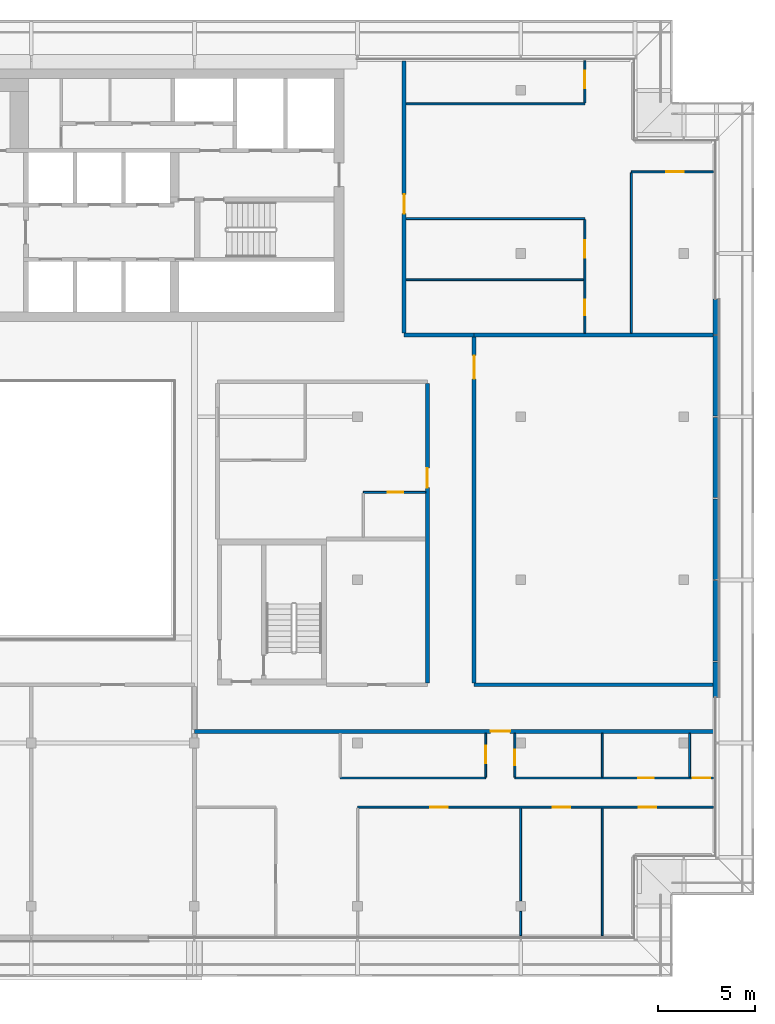
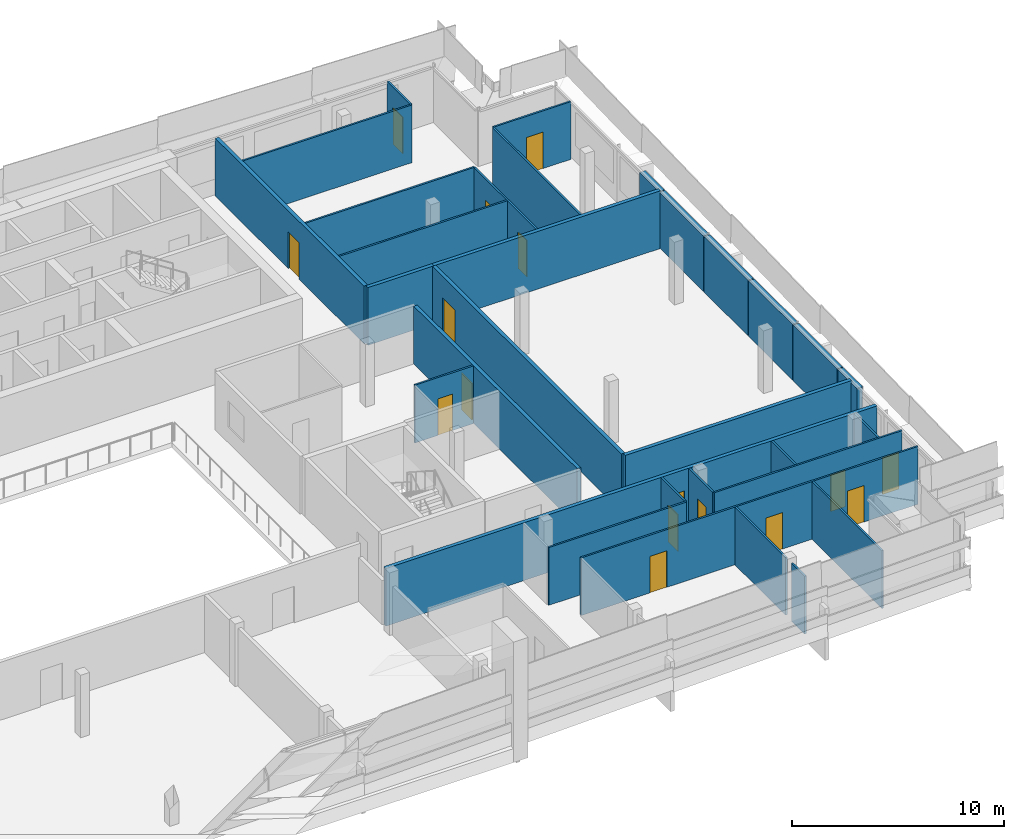
# One storey, part 22 of 33: 31 walls, 16 doors, 16 openings.
"""IFC4 building model written with IfcOpenShell, lengths in metres."""

from ifc_helpers import new_model, si_unit, direction, frame, frame_2d, origin, place, context, subcontext, project, spatial, rectangle, extrude, material, layer, layer_set, type_object, element, fill, save


model = new_model("IFC4")

# Units and contexts
model_context = context("Model", 3, precision=1e-05, world=origin(), true_north=direction((0.0, 1.0)))
body_context = subcontext(model_context, "Body", "Model", "MODEL_VIEW")
ifc_project = project(units=[si_unit("LENGTHUNIT", "METRE"), si_unit("AREAUNIT", "SQUARE_METRE"), si_unit("VOLUMEUNIT", "CUBIC_METRE"), si_unit("PLANEANGLEUNIT", "RADIAN"), si_unit("MASSUNIT", "GRAM", prefix="KILO")], contexts=[model_context])

# Site, building, storey
site_placement = place(None, origin())
site = spatial("IfcSite", under=ifc_project, at=site_placement, CompositionType="ELEMENT")
building_placement = place(site_placement, origin())
building = spatial("IfcBuilding", under=site, at=building_placement, Name="Saffron Gate Tower", CompositionType="ELEMENT")
storey_placement = place(building_placement, frame((0.0, 0.0, 263.550048828125)))
storey = spatial("IfcBuildingStorey", under=building, at=storey_placement, Name="L63", CompositionType="ELEMENT", Elevation=263.550048828125)

# Wall, openings, doors
ifc_material_1 = material(Name="Plasterboard on steel studs", Category="steel")
ifc_layer_1 = layer(ifc_material_1, 0.10009765625)
ifc_layer_set_1 = layer_set([ifc_layer_1], Name="PW1 Partition 100")
wall_type_1 = type_object("IfcWallType", Name="PW1 Partition 100", PredefinedType="PARTITIONING", material=ifc_layer_set_1)
wall_1_placement = place(storey_placement, frame((126.919921875, 36.89990234375, 0.0), z_axis=(0.0, 0.0, 1.0), x_axis=(-1.0, 0.0, 0.0)))
wall_1 = element("IfcWall", 1, at=wall_1_placement, inside=storey, type_object=wall_type_1, Name="Partition E1-6", PredefinedType="PARTITIONING", context=body_context, shape_type="SweptSolid", body=[
    extrude(rectangle(XDim=18.31982421875, YDim=0.10009765625, at=frame_2d((9.159912109375, 0.0))), origin(), (0.0, 0.0, 1.0), 3.320068359375),
])
opening_1_placement = place(wall_1_placement, frame((2.938232421875, 0.0, 0.0)))
opening_1 = element("IfcOpeningElement", 2, at=opening_1_placement, cuts=wall_1, Name="Opening E1-15", PredefinedType="OPENING", context=body_context, shape_type="SweptSolid", body=[
    extrude(rectangle(XDim=0.89990234375, YDim=2.10009765625, at=frame_2d((0.449951171875, 1.050048828125))), frame((0.0, 0.06005859375, 0.0), z_axis=(0.0, -1.0, 0.0), x_axis=(1.0, 0.0, 0.0)), (0.0, 0.0, 1.0), 0.1201171875),
])
opening_2_placement = place(wall_1_placement, frame((7.3701171875, 0.0, 0.0)))
opening_2 = element("IfcOpeningElement", 3, at=opening_2_placement, cuts=wall_1, Name="Opening E1-14", PredefinedType="OPENING", context=body_context, shape_type="SweptSolid", body=[
    extrude(rectangle(XDim=0.89990234375, YDim=2.10009765625, at=frame_2d((0.449951171875, 1.050048828125))), frame((0.0, 0.06005859375, 0.0), z_axis=(0.0, -1.0, 0.0), x_axis=(1.0, 0.0, 0.0)), (0.0, 0.0, 1.0), 0.1201171875),
])
opening_3_placement = place(wall_1_placement, frame((13.669921875, 0.0, 0.0)))
opening_3 = element("IfcOpeningElement", 4, at=opening_3_placement, cuts=wall_1, Name="Opening E1-13", PredefinedType="OPENING", context=body_context, shape_type="SweptSolid", body=[
    extrude(rectangle(XDim=0.89990234375, YDim=2.10009765625, at=frame_2d((0.449951171875, 1.050048828125))), frame((0.0, 0.06005859375, 0.0), z_axis=(0.0, -1.0, 0.0), x_axis=(1.0, 0.0, 0.0)), (0.0, 0.0, 1.0), 0.1201171875),
])
ifc_material_2 = material(Name="Timber door set", Category="wood")
door_type_1 = type_object("IfcDoorType", Name="RD1 Room door 900x2100", OperationType="NOTDEFINED", PredefinedType="DOOR", material=ifc_material_2)
door_1_placement = place(opening_1_placement, origin())
door_1 = element("IfcDoor", 5, at=door_1_placement, inside=storey, type_object=door_type_1, Name="Door E1-15", OperationType="SINGLE_SWING_RIGHT", OverallHeight=2.10009765625, OverallWidth=0.89990234375, PredefinedType="DOOR", context=body_context, shape_type="SweptSolid", body=[
    extrude(rectangle(XDim=0.89990234375, YDim=2.10009765625, at=frame_2d((0.449951171875, 1.050048828125))), frame((0.0, 0.02490234375, 0.0), z_axis=(0.0, -1.0, 0.0), x_axis=(1.0, 0.0, 0.0)), (0.0, 0.0, 1.0), 0.050048828125),
])
fill(opening_1, door_1)
door_2_placement = place(opening_2_placement, origin())
door_2 = element("IfcDoor", 6, at=door_2_placement, inside=storey, type_object=door_type_1, Name="Door E1-14", OperationType="SINGLE_SWING_RIGHT", OverallHeight=2.10009765625, OverallWidth=0.89990234375, PredefinedType="DOOR", context=body_context, shape_type="SweptSolid", body=[
    extrude(rectangle(XDim=0.89990234375, YDim=2.10009765625, at=frame_2d((0.449951171875, 1.050048828125))), frame((0.0, 0.02490234375, 0.0), z_axis=(0.0, -1.0, 0.0), x_axis=(1.0, 0.0, 0.0)), (0.0, 0.0, 1.0), 0.050048828125),
])
fill(opening_2, door_2)
door_3_placement = place(opening_3_placement, origin())
door_3 = element("IfcDoor", 7, at=door_3_placement, inside=storey, type_object=door_type_1, Name="Door E1-13", OperationType="SINGLE_SWING_RIGHT", OverallHeight=2.10009765625, OverallWidth=0.89990234375, PredefinedType="DOOR", context=body_context, shape_type="SweptSolid", body=[
    extrude(rectangle(XDim=0.89990234375, YDim=2.10009765625, at=frame_2d((0.449951171875, 1.050048828125))), frame((0.0, 0.02490234375, 0.0), z_axis=(0.0, -1.0, 0.0), x_axis=(1.0, 0.0, 0.0)), (0.0, 0.0, 1.0), 0.050048828125),
])
fill(opening_3, door_3)

# Wall
wall_2_placement = place(storey_placement, frame((107.699951171875, 38.39990234375, 0.0), z_axis=(0.0, 0.0, 1.0), x_axis=(1.0, 0.0, 0.0)))
element("IfcWall", 8, at=wall_2_placement, inside=storey, type_object=wall_type_1, Name="Partition E1-7", PredefinedType="PARTITIONING", context=body_context, shape_type="SweptSolid", body=[
    extrude(rectangle(XDim=7.5, YDim=0.10009765625, at=frame_2d((3.75, 0.0))), origin(), (0.0, 0.0, 1.0), 3.320068359375),
])

# Wall, openings, doors
wall_3_placement = place(storey_placement, frame((116.699951171875, 38.39990234375, 0.0), z_axis=(0.0, 0.0, 1.0), x_axis=(1.0, 0.0, 0.0)))
wall_3 = element("IfcWall", 9, at=wall_3_placement, inside=storey, type_object=wall_type_1, Name="Partition E1-8", PredefinedType="PARTITIONING", context=body_context, shape_type="SweptSolid", body=[
    extrude(rectangle(XDim=10.219970703125, YDim=0.10009765625, at=frame_2d((5.10986328125, 0.0))), origin(), (0.0, 0.0, 1.0), 3.320068359375),
])
opening_4_placement = place(wall_3_placement, frame((6.35009765625, 0.0, 0.0)))
opening_4 = element("IfcOpeningElement", 10, at=opening_4_placement, cuts=wall_3, Name="Opening E1-29", PredefinedType="OPENING", context=body_context, shape_type="SweptSolid", body=[
    extrude(rectangle(XDim=0.800048828125, YDim=2.10009765625, at=frame_2d((0.39990234375, 1.050048828125))), frame((0.0, 0.06005859375, 0.0), z_axis=(0.0, -1.0, 0.0), x_axis=(1.0, 0.0, 0.0)), (0.0, 0.0, 1.0), 0.1201171875),
])
opening_5_placement = place(wall_3_placement, frame((9.169921875, 0.0, 0.0)))
opening_5 = element("IfcOpeningElement", 11, at=opening_5_placement, cuts=wall_3, Name="Opening E1-17", PredefinedType="OPENING", context=body_context, shape_type="SweptSolid", body=[
    extrude(rectangle(XDim=0.89990234375, YDim=2.10009765625, at=frame_2d((0.449951171875, 1.050048828125))), frame((0.0, 0.06005859375, 0.0), z_axis=(0.0, -1.0, 0.0), x_axis=(1.0, 0.0, 0.0)), (0.0, 0.0, 1.0), 0.1201171875),
])
door_4_placement = place(opening_5_placement, origin())
door_4 = element("IfcDoor", 12, at=door_4_placement, inside=storey, type_object=door_type_1, Name="Door E1-17", OperationType="SINGLE_SWING_RIGHT", OverallHeight=2.10009765625, OverallWidth=0.89990234375, PredefinedType="DOOR", context=body_context, shape_type="SweptSolid", body=[
    extrude(rectangle(XDim=0.89990234375, YDim=2.10009765625, at=frame_2d((0.449951171875, 1.050048828125))), frame((0.0, 0.02490234375, 0.0), z_axis=(0.0, -1.0, 0.0), x_axis=(1.0, 0.0, 0.0)), (0.0, 0.0, 1.0), 0.050048828125),
])
fill(opening_5, door_4)
door_type_2 = type_object("IfcDoorType", Name="RD2 Bathroom door 800x2100", OperationType="NOTDEFINED", PredefinedType="DOOR", material=ifc_material_2)
door_5_placement = place(opening_4_placement, origin())
door_5 = element("IfcDoor", 13, at=door_5_placement, inside=storey, type_object=door_type_2, Name="Door E1-29", OperationType="SINGLE_SWING_LEFT", OverallHeight=2.10009765625, OverallWidth=0.800048828125, PredefinedType="DOOR", context=body_context, shape_type="SweptSolid", body=[
    extrude(rectangle(XDim=0.800048828125, YDim=2.10009765625, at=frame_2d((0.39990234375, 1.050048828125))), frame((0.0, 0.02490234375, 0.0), z_axis=(0.0, -1.0, 0.0), x_axis=(1.0, 0.0, 0.0)), (0.0, 0.0, 1.0), 0.050048828125),
])
fill(opening_4, door_5)

# Wall, opening, door
wall_4_placement = place(storey_placement, frame((112.10009765625, 53.10009765625, 0.0), z_axis=(0.0, 0.0, 1.0), x_axis=(-1.0, 0.0, 0.0)))
wall_4 = element("IfcWall", 14, at=wall_4_placement, inside=storey, type_object=wall_type_1, Name="Partition E1-18", PredefinedType="PARTITIONING", context=body_context, shape_type="SweptSolid", body=[
    extrude(rectangle(XDim=3.2001953125, YDim=0.10009765625, at=frame_2d((1.60009765625, 0.0))), origin(), (0.0, 0.0, 1.0), 3.320068359375),
])
opening_6_placement = place(wall_4_placement, frame((1.14990234375, 0.0, 0.0)))
opening_6 = element("IfcOpeningElement", 15, at=opening_6_placement, cuts=wall_4, Name="Opening E1-34", PredefinedType="OPENING", context=body_context, shape_type="SweptSolid", body=[
    extrude(rectangle(XDim=0.800048828125, YDim=2.10009765625, at=frame_2d((0.39990234375, 1.050048828125))), frame((0.0, 0.06005859375, 0.0), z_axis=(0.0, -1.0, 0.0), x_axis=(1.0, 0.0, 0.0)), (0.0, 0.0, 1.0), 0.1201171875),
])
door_6_placement = place(opening_6_placement, origin())
door_6 = element("IfcDoor", 16, at=door_6_placement, inside=storey, type_object=door_type_2, Name="Door E1-34", OperationType="SINGLE_SWING_LEFT", OverallHeight=2.10009765625, OverallWidth=0.800048828125, PredefinedType="DOOR", context=body_context, shape_type="SweptSolid", body=[
    extrude(rectangle(XDim=0.800048828125, YDim=2.10009765625, at=frame_2d((0.39990234375, 1.050048828125))), frame((0.0, 0.02490234375, 0.0), z_axis=(0.0, -1.0, 0.0), x_axis=(1.0, 0.0, 0.0)), (0.0, 0.0, 1.0), 0.050048828125),
])
fill(opening_6, door_6)

# Walls
wall_5_placement = place(storey_placement, frame((111.10009765625, 64.049560546875, 0.0), z_axis=(0.0, 0.0, 1.0), x_axis=(1.0, 0.0, 0.0)))
element("IfcWall", 17, at=wall_5_placement, inside=storey, type_object=wall_type_1, Name="Partition E1-28", PredefinedType="PARTITIONING", context=body_context, shape_type="SweptSolid", body=[
    extrude(rectangle(XDim=9.14990234375, YDim=0.10009765625, at=frame_2d((4.574951171875, 0.0))), origin(), (0.0, 0.0, 1.0), 3.320068359375),
])
wall_6_placement = place(storey_placement, frame((111.10009765625, 67.199951171875, 0.0), z_axis=(0.0, 0.0, 1.0), x_axis=(1.0, 0.0, 0.0)))
element("IfcWall", 18, at=wall_6_placement, inside=storey, type_object=wall_type_1, Name="Partition E1-33", PredefinedType="PARTITIONING", context=body_context, shape_type="SweptSolid", body=[
    extrude(rectangle(XDim=9.199951171875, YDim=0.10009765625, at=frame_2d((4.60009765625, 0.0))), origin(), (0.0, 0.0, 1.0), 3.320068359375),
])

# Wall, opening, door
wall_7_placement = place(storey_placement, frame((126.919921875, 69.60009765625, 0.0), z_axis=(0.0, 0.0, 1.0), x_axis=(-1.0, 0.0, 0.0)))
wall_7 = element("IfcWall", 19, at=wall_7_placement, inside=storey, type_object=wall_type_1, Name="Partition E1-35", PredefinedType="PARTITIONING", context=body_context, shape_type="SweptSolid", body=[
    extrude(rectangle(XDim=4.219970703125, YDim=0.10009765625, at=frame_2d((2.10986328125, 0.0))), origin(), (0.0, 0.0, 1.0), 3.320068359375),
])
opening_7_placement = place(wall_7_placement, frame((1.52001953125, 0.0, 0.0)))
opening_7 = element("IfcOpeningElement", 20, at=opening_7_placement, cuts=wall_7, Name="Opening E1-21", PredefinedType="OPENING", context=body_context, shape_type="SweptSolid", body=[
    extrude(rectangle(XDim=0.89990234375, YDim=2.10009765625, at=frame_2d((0.449951171875, 1.050048828125))), frame((0.0, 0.06005859375, 0.0), z_axis=(0.0, -1.0, 0.0), x_axis=(1.0, 0.0, 0.0)), (0.0, 0.0, 1.0), 0.1201171875),
])
door_7_placement = place(opening_7_placement, origin())
door_7 = element("IfcDoor", 21, at=door_7_placement, inside=storey, type_object=door_type_1, Name="Door E1-21", OperationType="SINGLE_SWING_LEFT", OverallHeight=2.10009765625, OverallWidth=0.89990234375, PredefinedType="DOOR", context=body_context, shape_type="SweptSolid", body=[
    extrude(rectangle(XDim=0.89990234375, YDim=2.10009765625, at=frame_2d((0.449951171875, 1.050048828125))), frame((0.0, 0.02490234375, 0.0), z_axis=(0.0, -1.0, 0.0), x_axis=(1.0, 0.0, 0.0)), (0.0, 0.0, 1.0), 0.050048828125),
])
fill(opening_7, door_7)

# Wall
wall_8_placement = place(storey_placement, frame((111.10009765625, 73.108642578125, 0.0), z_axis=(0.0, 0.0, 1.0), x_axis=(1.0, 0.0, 0.0)))
element("IfcWall", 22, at=wall_8_placement, inside=storey, type_object=wall_type_1, Name="Partition E1-36", PredefinedType="PARTITIONING", context=body_context, shape_type="SweptSolid", body=[
    extrude(rectangle(XDim=9.199951171875, YDim=0.10009765625, at=frame_2d((4.60009765625, 0.0))), origin(), (0.0, 0.0, 1.0), 3.320068359375),
])

# Wall, opening, door
wall_9_placement = place(storey_placement, frame((115.199951171875, 38.449951171875, 0.0), z_axis=(0.0, 0.0, 1.0), x_axis=(0.0, 1.0, 0.0)))
wall_9 = element("IfcWall", 23, at=wall_9_placement, inside=storey, type_object=wall_type_1, Name="Partition E1-79", PredefinedType="PARTITIONING", context=body_context, shape_type="SweptSolid", body=[
    extrude(rectangle(XDim=2.25, YDim=0.10009765625, at=frame_2d((1.125, 0.0))), origin(), (0.0, 0.0, 1.0), 3.320068359375),
])
opening_8_placement = place(wall_9_placement, frame((0.699951171875, 0.0, 0.0)))
opening_8 = element("IfcOpeningElement", 24, at=opening_8_placement, cuts=wall_9, Name="Opening E1-16", PredefinedType="OPENING", context=body_context, shape_type="SweptSolid", body=[
    extrude(rectangle(XDim=0.89990234375, YDim=2.10009765625, at=frame_2d((0.449951171875, 1.050048828125))), frame((0.0, 0.06005859375, 0.0), z_axis=(0.0, -1.0, 0.0), x_axis=(1.0, 0.0, 0.0)), (0.0, 0.0, 1.0), 0.1201171875),
])
door_8_placement = place(opening_8_placement, origin())
door_8 = element("IfcDoor", 25, at=door_8_placement, inside=storey, type_object=door_type_1, Name="Door E1-16", OperationType="SINGLE_SWING_RIGHT", OverallHeight=2.10009765625, OverallWidth=0.89990234375, PredefinedType="DOOR", context=body_context, shape_type="SweptSolid", body=[
    extrude(rectangle(XDim=0.89990234375, YDim=2.10009765625, at=frame_2d((0.449951171875, 1.050048828125))), frame((0.0, 0.02490234375, 0.0), z_axis=(0.0, -1.0, 0.0), x_axis=(1.0, 0.0, 0.0)), (0.0, 0.0, 1.0), 0.050048828125),
])
fill(opening_8, door_8)

wall_10_placement = place(storey_placement, frame((116.699951171875, 40.699951171875, 0.0), z_axis=(0.0, 0.0, 1.0), x_axis=(0.0, -1.0, 0.0)))
wall_10 = element("IfcWall", 26, at=wall_10_placement, inside=storey, type_object=wall_type_1, Name="Partition E1-80", PredefinedType="PARTITIONING", context=body_context, shape_type="SweptSolid", body=[
    extrude(rectangle(XDim=2.25, YDim=0.10009765625, at=frame_2d((1.125, 0.0))), origin(), (0.0, 0.0, 1.0), 3.320068359375),
])
opening_9_placement = place(wall_10_placement, frame((0.85009765625, 0.0, 0.0)))
opening_9 = element("IfcOpeningElement", 27, at=opening_9_placement, cuts=wall_10, Name="Opening E1-28", PredefinedType="OPENING", context=body_context, shape_type="SweptSolid", body=[
    extrude(rectangle(XDim=0.800048828125, YDim=2.10009765625, at=frame_2d((0.39990234375, 1.050048828125))), frame((0.0, 0.06005859375, 0.0), z_axis=(0.0, -1.0, 0.0), x_axis=(1.0, 0.0, 0.0)), (0.0, 0.0, 1.0), 0.1201171875),
])
door_9_placement = place(opening_9_placement, origin())
door_9 = element("IfcDoor", 28, at=door_9_placement, inside=storey, type_object=door_type_2, Name="Door E1-28", OperationType="SINGLE_SWING_RIGHT", OverallHeight=2.10009765625, OverallWidth=0.800048828125, PredefinedType="DOOR", context=body_context, shape_type="SweptSolid", body=[
    extrude(rectangle(XDim=0.800048828125, YDim=2.10009765625, at=frame_2d((0.39990234375, 1.050048828125))), frame((0.0, 0.02490234375, 0.0), z_axis=(0.0, -1.0, 0.0), x_axis=(1.0, 0.0, 0.0)), (0.0, 0.0, 1.0), 0.050048828125),
])
fill(opening_9, door_9)

# Walls
wall_11_placement = place(storey_placement, frame((117.0, 31.530029296875, 0.0), z_axis=(0.0, 0.0, 1.0), x_axis=(0.0, -1.0, 0.0)))
element("IfcWall", 29, at=wall_11_placement, inside=storey, type_object=wall_type_1, Name="Partition E1-81", PredefinedType="PARTITIONING", context=body_context, shape_type="SweptSolid", body=[
    extrude(rectangle(XDim=1.25, YDim=0.10009765625, at=frame_2d((0.625, 0.0))), origin(), (0.0, 0.0, 1.0), 3.320068359375),
])
wall_12_placement = place(storey_placement, frame((117.0, 36.85009765625, 0.0), z_axis=(0.0, 0.0, 1.0), x_axis=(0.0, -1.0, 0.0)))
element("IfcWall", 30, at=wall_12_placement, inside=storey, type_object=wall_type_1, Name="Partition E1-82", PredefinedType="PARTITIONING", context=body_context, shape_type="SweptSolid", body=[
    extrude(rectangle(XDim=4.780029296875, YDim=0.10009765625, at=frame_2d((2.39013671875, 0.0))), origin(), (0.0, 0.0, 1.0), 3.320068359375),
])

# Wall, openings, doors
wall_13_placement = place(storey_placement, frame((120.300048828125, 61.300048828125, 0.0), z_axis=(0.0, 0.0, 1.0), x_axis=(0.0, 1.0, 0.0)))
wall_13 = element("IfcWall", 31, at=wall_13_placement, inside=storey, type_object=wall_type_1, Name="Partition E1-83", PredefinedType="PARTITIONING", context=body_context, shape_type="SweptSolid", body=[
    extrude(rectangle(XDim=5.849853515625, YDim=0.10009765625, at=frame_2d((2.9248046875, 0.0))), origin(), (0.0, 0.0, 1.0), 3.320068359375),
])
opening_10_placement = place(wall_13_placement, frame((0.9248046875, 0.0, 0.0)))
opening_10 = element("IfcOpeningElement", 32, at=opening_10_placement, cuts=wall_13, Name="Opening E1-32", PredefinedType="OPENING", context=body_context, shape_type="SweptSolid", body=[
    extrude(rectangle(XDim=0.800048828125, YDim=2.10009765625, at=frame_2d((0.39990234375, 1.050048828125))), frame((0.0, 0.06005859375, 0.0), z_axis=(0.0, -1.0, 0.0), x_axis=(1.0, 0.0, 0.0)), (0.0, 0.0, 1.0), 0.1201171875),
])
opening_11_placement = place(wall_13_placement, frame((3.874755859375, 0.0, 0.0)))
opening_11 = element("IfcOpeningElement", 33, at=opening_11_placement, cuts=wall_13, Name="Opening E1-23", PredefinedType="OPENING", context=body_context, shape_type="SweptSolid", body=[
    extrude(rectangle(XDim=0.89990234375, YDim=2.10009765625, at=frame_2d((0.449951171875, 1.050048828125))), frame((0.0, 0.06005859375, 0.0), z_axis=(0.0, -1.0, 0.0), x_axis=(1.0, 0.0, 0.0)), (0.0, 0.0, 1.0), 0.1201171875),
])
door_10_placement = place(opening_11_placement, origin())
door_10 = element("IfcDoor", 34, at=door_10_placement, inside=storey, type_object=door_type_1, Name="Door E1-23", OperationType="SINGLE_SWING_RIGHT", OverallHeight=2.10009765625, OverallWidth=0.89990234375, PredefinedType="DOOR", context=body_context, shape_type="SweptSolid", body=[
    extrude(rectangle(XDim=0.89990234375, YDim=2.10009765625, at=frame_2d((0.449951171875, 1.050048828125))), frame((0.0, 0.02490234375, 0.0), z_axis=(0.0, -1.0, 0.0), x_axis=(1.0, 0.0, 0.0)), (0.0, 0.0, 1.0), 0.050048828125),
])
fill(opening_11, door_10)
door_11_placement = place(opening_10_placement, origin())
door_11 = element("IfcDoor", 35, at=door_11_placement, inside=storey, type_object=door_type_2, Name="Door E1-32", OperationType="SINGLE_SWING_LEFT", OverallHeight=2.10009765625, OverallWidth=0.800048828125, PredefinedType="DOOR", context=body_context, shape_type="SweptSolid", body=[
    extrude(rectangle(XDim=0.800048828125, YDim=2.10009765625, at=frame_2d((0.39990234375, 1.050048828125))), frame((0.0, 0.02490234375, 0.0), z_axis=(0.0, -1.0, 0.0), x_axis=(1.0, 0.0, 0.0)), (0.0, 0.0, 1.0), 0.050048828125),
])
fill(opening_10, door_11)

# Wall, opening, door
wall_14_placement = place(storey_placement, frame((120.300048828125, 73.15869140625, 0.0), z_axis=(0.0, 0.0, 1.0), x_axis=(0.0, 1.0, 0.0)))
wall_14 = element("IfcWall", 36, at=wall_14_placement, inside=storey, type_object=wall_type_1, Name="Partition E1-84", PredefinedType="PARTITIONING", context=body_context, shape_type="SweptSolid", body=[
    extrude(rectangle(XDim=2.161376953125, YDim=0.10009765625, at=frame_2d((1.08056640625, 0.0))), origin(), (0.0, 0.0, 1.0), 3.320068359375),
])
opening_12_placement = place(wall_14_placement, frame((0.74560546875, 0.0, 0.0)))
opening_12 = element("IfcOpeningElement", 37, at=opening_12_placement, cuts=wall_14, Name="Opening E1-22", PredefinedType="OPENING", context=body_context, shape_type="SweptSolid", body=[
    extrude(rectangle(XDim=0.89990234375, YDim=2.10009765625, at=frame_2d((0.449951171875, 1.050048828125))), frame((0.0, 0.06005859375, 0.0), z_axis=(0.0, -1.0, 0.0), x_axis=(1.0, 0.0, 0.0)), (0.0, 0.0, 1.0), 0.1201171875),
])
door_12_placement = place(opening_12_placement, origin())
door_12 = element("IfcDoor", 38, at=door_12_placement, inside=storey, type_object=door_type_1, Name="Door E1-22", OperationType="SINGLE_SWING_RIGHT", OverallHeight=2.10009765625, OverallWidth=0.89990234375, PredefinedType="DOOR", context=body_context, shape_type="SweptSolid", body=[
    extrude(rectangle(XDim=0.89990234375, YDim=2.10009765625, at=frame_2d((0.449951171875, 1.050048828125))), frame((0.0, 0.02490234375, 0.0), z_axis=(0.0, -1.0, 0.0), x_axis=(1.0, 0.0, 0.0)), (0.0, 0.0, 1.0), 0.050048828125),
])
fill(opening_12, door_12)

# Walls
wall_15_placement = place(storey_placement, frame((121.199951171875, 36.85009765625, 0.0), z_axis=(0.0, 0.0, 1.0), x_axis=(0.0, -1.0, 0.0)))
element("IfcWall", 39, at=wall_15_placement, inside=storey, type_object=wall_type_1, Name="Partition E1-85", PredefinedType="PARTITIONING", context=body_context, shape_type="SweptSolid", body=[
    extrude(rectangle(XDim=6.570068359375, YDim=0.10009765625, at=frame_2d((3.28515625, 0.0))), origin(), (0.0, 0.0, 1.0), 3.320068359375),
])
wall_16_placement = place(storey_placement, frame((121.199951171875, 40.699951171875, 0.0), z_axis=(0.0, 0.0, 1.0), x_axis=(0.0, -1.0, 0.0)))
element("IfcWall", 40, at=wall_16_placement, inside=storey, type_object=wall_type_1, Name="Partition E1-86", PredefinedType="PARTITIONING", context=body_context, shape_type="SweptSolid", body=[
    extrude(rectangle(XDim=2.25, YDim=0.10009765625, at=frame_2d((1.125, 0.0))), origin(), (0.0, 0.0, 1.0), 3.320068359375),
])
wall_17_placement = place(storey_placement, frame((122.699951171875, 69.550048828125, 0.0), z_axis=(0.0, 0.0, 1.0), x_axis=(0.0, -1.0, 0.0)))
element("IfcWall", 41, at=wall_17_placement, inside=storey, type_object=wall_type_1, Name="Partition E1-87", PredefinedType="PARTITIONING", context=body_context, shape_type="SweptSolid", body=[
    extrude(rectangle(XDim=8.25, YDim=0.10009765625, at=frame_2d((4.125, 0.0))), origin(), (0.0, 0.0, 1.0), 3.320068359375),
])
wall_18_placement = place(storey_placement, frame((125.699951171875, 40.699951171875, 0.0), z_axis=(0.0, 0.0, 1.0), x_axis=(0.0, -1.0, 0.0)))
element("IfcWall", 42, at=wall_18_placement, inside=storey, type_object=wall_type_1, Name="Partition E1-88", PredefinedType="PARTITIONING", context=body_context, shape_type="SweptSolid", body=[
    extrude(rectangle(XDim=2.25, YDim=0.10009765625, at=frame_2d((1.125, 0.0))), origin(), (0.0, 0.0, 1.0), 3.320068359375),
])

# Wall, opening, door
ifc_material_3 = material(Name="Clay brick masonry, rendered", Category="masonry")
ifc_layer_2 = layer(ifc_material_3, 0.199951171875)
ifc_layer_set_2 = layer_set([ifc_layer_2], Name="PW3 Corridor wall 200")
wall_type_2 = type_object("IfcWallType", Name="PW3 Corridor wall 200", PredefinedType="PARTITIONING", material=ifc_layer_set_2)
wall_19_placement = place(storey_placement, frame((126.919921875, 40.800048828125, 0.0), z_axis=(0.0, 0.0, 1.0), x_axis=(-1.0, 0.0, 0.0)))
wall_19 = element("IfcWall", 43, at=wall_19_placement, inside=storey, type_object=wall_type_2, Name="Wall E1-10", PredefinedType="PARTITIONING", context=body_context, shape_type="SweptSolid", body=[
    extrude(rectangle(XDim=26.719970703125, YDim=0.199951171875, at=frame_2d((13.35986328125, 0.0))), origin(), (0.0, 0.0, 1.0), 3.320068359375),
])
opening_13_placement = place(wall_19_placement, frame((10.469970703125, 0.0, 0.0)))
opening_13 = element("IfcOpeningElement", 44, at=opening_13_placement, cuts=wall_19, Name="Opening E1-2", PredefinedType="OPENING", context=body_context, shape_type="SweptSolid", body=[
    extrude(rectangle(XDim=1.0, YDim=2.10009765625, at=frame_2d((0.5, 1.050048828125))), frame((0.0, 0.10986328125, 0.0), z_axis=(0.0, -1.0, 0.0), x_axis=(1.0, 0.0, 0.0)), (0.0, 0.0, 1.0), 0.219970703125),
])
ifc_material_4 = material(Name="Timber fire door set", Category="wood")
door_type_3 = type_object("IfcDoorType", Name="FD1 Flat entry door 1000x2100", OperationType="NOTDEFINED", PredefinedType="DOOR", material=ifc_material_4)
door_13_placement = place(opening_13_placement, origin())
door_13 = element("IfcDoor", 45, at=door_13_placement, inside=storey, type_object=door_type_3, Name="Door E1-2", OperationType="SINGLE_SWING_RIGHT", OverallHeight=2.10009765625, OverallWidth=1.0, PredefinedType="DOOR", context=body_context, shape_type="SweptSolid", body=[
    extrude(rectangle(XDim=1.0, YDim=2.10009765625, at=frame_2d((0.5, 1.050048828125))), frame((0.0, 0.02490234375, 0.0), z_axis=(0.0, -1.0, 0.0), x_axis=(1.0, 0.0, 0.0)), (0.0, 0.0, 1.0), 0.050048828125),
])
fill(opening_13, door_13)

# Walls
wall_20_placement = place(storey_placement, frame((114.60009765625, 43.199951171875, 0.0), z_axis=(0.0, 0.0, 1.0), x_axis=(1.0, 0.0, 0.0)))
element("IfcWall", 46, at=wall_20_placement, inside=storey, type_object=wall_type_2, Name="Wall E1-15", PredefinedType="PARTITIONING", context=body_context, shape_type="SweptSolid", body=[
    extrude(rectangle(XDim=12.31982421875, YDim=0.199951171875, at=frame_2d((6.159912109375, 0.0))), origin(), (0.0, 0.0, 1.0), 3.320068359375),
])
wall_21_placement = place(storey_placement, frame((111.0, 61.199951171875, 0.0), z_axis=(0.0, 0.0, 1.0), x_axis=(1.0, 0.0, 0.0)))
element("IfcWall", 47, at=wall_21_placement, inside=storey, type_object=wall_type_2, Name="Wall E1-25", PredefinedType="PARTITIONING", context=body_context, shape_type="SweptSolid", body=[
    extrude(rectangle(XDim=3.60009765625, YDim=0.199951171875, at=frame_2d((1.800048828125, 0.0))), origin(), (0.0, 0.0, 1.0), 3.320068359375),
])

# Wall, opening, door
wall_22_placement = place(storey_placement, frame((111.0, 75.320068359375, 0.0), z_axis=(0.0, 0.0, 1.0), x_axis=(0.0, -1.0, 0.0)))
wall_22 = element("IfcWall", 48, at=wall_22_placement, inside=storey, type_object=wall_type_2, Name="Wall E1-76", PredefinedType="PARTITIONING", context=body_context, shape_type="SweptSolid", body=[
    extrude(rectangle(XDim=14.02001953125, YDim=0.199951171875, at=frame_2d((7.010009765625, 0.0))), origin(), (0.0, 0.0, 1.0), 3.320068359375),
])
opening_14_placement = place(wall_22_placement, frame((6.8701171875, 0.0, 0.0)))
opening_14 = element("IfcOpeningElement", 49, at=opening_14_placement, cuts=wall_22, Name="Opening E1-4", PredefinedType="OPENING", context=body_context, shape_type="SweptSolid", body=[
    extrude(rectangle(XDim=1.0, YDim=2.10009765625, at=frame_2d((0.5, 1.050048828125))), frame((0.0, 0.10986328125, 0.0), z_axis=(0.0, -1.0, 0.0), x_axis=(1.0, 0.0, 0.0)), (0.0, 0.0, 1.0), 0.219970703125),
])
door_14_placement = place(opening_14_placement, origin())
door_14 = element("IfcDoor", 50, at=door_14_placement, inside=storey, type_object=door_type_3, Name="Door E1-4", OperationType="SINGLE_SWING_RIGHT", OverallHeight=2.10009765625, OverallWidth=1.0, PredefinedType="DOOR", context=body_context, shape_type="SweptSolid", body=[
    extrude(rectangle(XDim=1.0, YDim=2.10009765625, at=frame_2d((0.5, 1.050048828125))), frame((0.0, 0.02490234375, 0.0), z_axis=(0.0, -1.0, 0.0), x_axis=(1.0, 0.0, 0.0)), (0.0, 0.0, 1.0), 0.050048828125),
])
fill(opening_14, door_14)

wall_23_placement = place(storey_placement, frame((112.199951171875, 43.300048828125, 0.0), z_axis=(0.0, 0.0, 1.0), x_axis=(0.0, 1.0, 0.0)))
wall_23 = element("IfcWall", 51, at=wall_23_placement, inside=storey, type_object=wall_type_2, Name="Wall E1-77", PredefinedType="PARTITIONING", context=body_context, shape_type="SweptSolid", body=[
    extrude(rectangle(XDim=15.39990234375, YDim=0.199951171875, at=frame_2d((7.699951171875, 0.0))), origin(), (0.0, 0.0, 1.0), 3.320068359375),
])
opening_15_placement = place(wall_23_placement, frame((10.050048828125, 0.0, 0.0)))
opening_15 = element("IfcOpeningElement", 52, at=opening_15_placement, cuts=wall_23, Name="Opening E1-6", PredefinedType="OPENING", context=body_context, shape_type="SweptSolid", body=[
    extrude(rectangle(XDim=1.0, YDim=2.10009765625, at=frame_2d((0.5, 1.050048828125))), frame((0.0, 0.10986328125, 0.0), z_axis=(0.0, -1.0, 0.0), x_axis=(1.0, 0.0, 0.0)), (0.0, 0.0, 1.0), 0.219970703125),
])
door_15_placement = place(opening_15_placement, origin())
door_15 = element("IfcDoor", 53, at=door_15_placement, inside=storey, type_object=door_type_3, Name="Door E1-6", OperationType="SINGLE_SWING_RIGHT", OverallHeight=2.10009765625, OverallWidth=1.0, PredefinedType="DOOR", context=body_context, shape_type="SweptSolid", body=[
    extrude(rectangle(XDim=1.0, YDim=2.10009765625, at=frame_2d((0.5, 1.050048828125))), frame((0.0, 0.02490234375, 0.0), z_axis=(0.0, -1.0, 0.0), x_axis=(1.0, 0.0, 0.0)), (0.0, 0.0, 1.0), 0.050048828125),
])
fill(opening_15, door_15)

wall_24_placement = place(storey_placement, frame((114.60009765625, 61.10009765625, 0.0), z_axis=(0.0, 0.0, 1.0), x_axis=(0.0, -1.0, 0.0)))
wall_24 = element("IfcWall", 54, at=wall_24_placement, inside=storey, type_object=wall_type_2, Name="Wall E1-78", PredefinedType="PARTITIONING", context=body_context, shape_type="SweptSolid", body=[
    extrude(rectangle(XDim=17.800048828125, YDim=0.199951171875, at=frame_2d((8.89990234375, 0.0))), origin(), (0.0, 0.0, 1.0), 3.320068359375),
])
opening_16_placement = place(wall_24_placement, frame((0.949951171875, 0.0, 0.0)))
opening_16 = element("IfcOpeningElement", 55, at=opening_16_placement, cuts=wall_24, Name="Opening E1-37", PredefinedType="OPENING", context=body_context, shape_type="SweptSolid", body=[
    extrude(rectangle(XDim=1.199951171875, YDim=2.10009765625, at=frame_2d((0.60009765625, 1.050048828125))), frame((0.0, 0.10986328125, 0.0), z_axis=(0.0, -1.0, 0.0), x_axis=(1.0, 0.0, 0.0)), (0.0, 0.0, 1.0), 0.219970703125),
])
door_type_4 = type_object("IfcDoorType", Name="HD1 Hall door 1200x2100", OperationType="NOTDEFINED", PredefinedType="DOOR", material=ifc_material_2)
door_16_placement = place(opening_16_placement, origin())
door_16 = element("IfcDoor", 56, at=door_16_placement, inside=storey, type_object=door_type_4, Name="Door E1-37", OperationType="SINGLE_SWING_RIGHT", OverallHeight=2.10009765625, OverallWidth=1.199951171875, PredefinedType="DOOR", context=body_context, shape_type="SweptSolid", body=[
    extrude(rectangle(XDim=1.199951171875, YDim=2.10009765625, at=frame_2d((0.60009765625, 1.050048828125))), frame((0.0, 0.02490234375, 0.0), z_axis=(0.0, -1.0, 0.0), x_axis=(1.0, 0.0, 0.0)), (0.0, 0.0, 1.0), 0.050048828125),
])
fill(opening_16, door_16)

# Walls
ifc_layer_3 = layer(ifc_material_3, 0.199951171875)
ifc_layer_set_3 = layer_set([ifc_layer_3], Name="PW5 Room wall 200")
wall_type_3 = type_object("IfcWallType", Name="PW5 Room wall 200", PredefinedType="PARTITIONING", material=ifc_layer_set_3)
wall_25_placement = place(storey_placement, frame((114.60009765625, 61.199951171875, 0.0), z_axis=(0.0, 0.0, 1.0), x_axis=(1.0, 0.0, 0.0)))
element("IfcWall", 57, at=wall_25_placement, inside=storey, type_object=wall_type_3, Name="Wall E1-27", PredefinedType="PARTITIONING", context=body_context, shape_type="SweptSolid", body=[
    extrude(rectangle(XDim=12.31982421875, YDim=0.199951171875, at=frame_2d((6.159912109375, 0.0))), origin(), (0.0, 0.0, 1.0), 3.320068359375),
])
ifc_material_5 = material(Name="Reinforced concrete C40/50 with mineral wool insulation", Category="concrete")
ifc_layer_4 = layer(ifc_material_5, 0.30810546875)
ifc_layer_set_4 = layer_set([ifc_layer_4], Name="WBAY3 arch bay insulated wall")
wall_type_4 = type_object("IfcWallType", Name="WBAY3 arch bay insulated wall", PredefinedType="SOLIDWALL", material=ifc_layer_set_4)
wall_26_placement = place(storey_placement, frame((127.0458984375, 44.3701171875, 0.0), z_axis=(0.0, 0.0, 1.0), x_axis=(0.0, -1.0, 0.0)))
element("IfcWall", 58, at=wall_26_placement, inside=storey, type_object=wall_type_4, Name="ARCH BAY wall", PredefinedType="SOLIDWALL", context=body_context, shape_type="SweptSolid", body=[
    extrude(rectangle(XDim=1.8193359375, YDim=0.30810546875, at=frame_2d((0.90966796875, 0.0))), origin(), (0.0, 0.0, 1.0), 3.199951171875),
])
for number, where, z_axis, x_axis, name in (
    (59, (127.0458984375, 48.570068359375, 0.0), (0.0, 0.0, 1.0), (0.0, -1.0, 0.0), "ARCH BAY wall"),
    (60, (127.0458984375, 52.77001953125, 0.0), (0.0, 0.0, 1.0), (0.0, -1.0, 0.0), "ARCH BAY wall"),
):
    element("IfcWall", number, at=place(storey_placement, frame(where, z_axis=z_axis, x_axis=x_axis)), inside=storey, type_object=wall_type_4, Name=name, PredefinedType="SOLIDWALL", context=body_context, shape_type="SweptSolid", body=[
        extrude(rectangle(XDim=4.14013671875, YDim=0.30810546875, at=frame_2d((2.070068359375, 0.0))), origin(), (0.0, 0.0, 1.0), 3.199951171875),
    ])
for number, where, z_axis, x_axis, name in (
    (61, (127.0458984375, 56.969970703125, 0.0), (0.0, 0.0, 1.0), (0.0, -1.0, 0.0), "ARCH BAY wall"),
    (62, (127.0458984375, 61.169921875, 0.0), (0.0, 0.0, 1.0), (0.0, -1.0, 0.0), "ARCH BAY wall"),
):
    element("IfcWall", number, at=place(storey_placement, frame(where, z_axis=z_axis, x_axis=x_axis)), inside=storey, type_object=wall_type_4, Name=name, PredefinedType="SOLIDWALL", context=body_context, shape_type="SweptSolid", body=[
        extrude(rectangle(XDim=4.139892578125, YDim=0.30810546875, at=frame_2d((2.06982421875, 0.0))), origin(), (0.0, 0.0, 1.0), 3.199951171875),
    ])
wall_27_placement = place(storey_placement, frame((127.0458984375, 63.04931640625, 0.0), z_axis=(0.0, 0.0, 1.0), x_axis=(0.0, -1.0, 0.0)))
element("IfcWall", 63, at=wall_27_placement, inside=storey, type_object=wall_type_4, Name="ARCH BAY wall", PredefinedType="SOLIDWALL", context=body_context, shape_type="SweptSolid", body=[
    extrude(rectangle(XDim=1.8193359375, YDim=0.30810546875, at=frame_2d((0.90966796875, 0.0))), origin(), (0.0, 0.0, 1.0), 3.199951171875),
])

save(model, "model.ifc")
